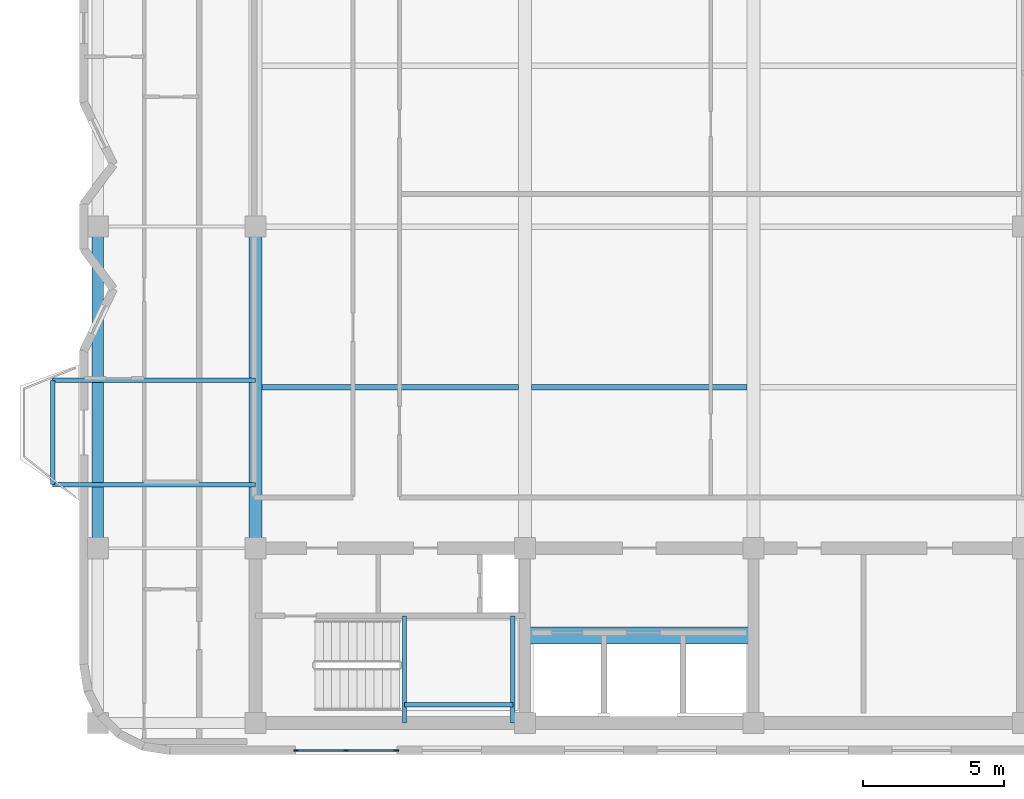
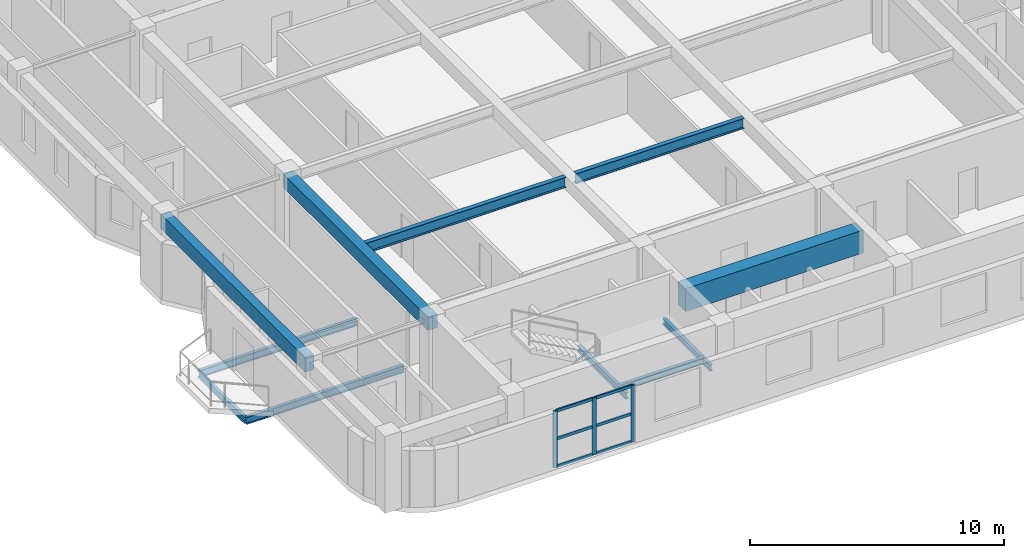
# One storey, part 2 of 11: 11 beams, 9 members, 1 element without a shape of its own.
"""IFC4 building model written with IfcOpenShell, lengths in metres."""

from ifc_helpers import new_model, si_unit, direction, frame, origin, origin_2d, place, context, subcontext, project, spatial, rectangle, i_section, extrude, material, material_profile, profile_set, type_object, element, aggregate, save


model = new_model("IFC4")

# Units and contexts
model_context = context("Model", 3, precision=1e-05, world=origin(), true_north=direction((0.0, 1.0)))
body_context = subcontext(model_context, "Body", "Model", "MODEL_VIEW")
ifc_project = project(units=[si_unit("LENGTHUNIT", "METRE"), si_unit("AREAUNIT", "SQUARE_METRE"), si_unit("VOLUMEUNIT", "CUBIC_METRE"), si_unit("PLANEANGLEUNIT", "RADIAN"), si_unit("MASSUNIT", "GRAM", prefix="KILO")], contexts=[model_context])

# Site, building, storey
site_placement = place(None, origin())
site = spatial("IfcSite", under=ifc_project, at=site_placement, CompositionType="ELEMENT")
building_placement = place(site_placement, origin())
building = spatial("IfcBuilding", under=site, at=building_placement, Name="Svetorya Sky Lyceum", CompositionType="ELEMENT")
storey_placement = place(building_placement, frame((0.0, 0.0, 275.0)))
storey = spatial("IfcBuildingStorey", under=building, at=storey_placement, Name="L69", CompositionType="ELEMENT", Elevation=275.0)

# Beams
ifc_material_1 = material(Name="Concrete C60/75", Category="concrete")
ifc_material_profile_1 = material_profile(ifc_material_1, rectangle(XDim=0.60009765625, YDim=1.10009765625, at=origin_2d()), Name="RC COUPLING 600x1100")
ifc_profile_set_1 = profile_set([ifc_material_profile_1], Name="Concrete C60/75")
beam_type_1 = type_object("IfcBeamType", Name="BM-CPL-1100", PredefinedType="LINTEL", material=ifc_profile_set_1)
beam_1_placement = place(storey_placement, frame((35.14990234375, 13.699951171875, 2.89990234375), z_axis=(1.0, 0.0, 0.0), x_axis=(0.0, 1.0, 0.0)))
element("IfcBeam", 1, at=beam_1_placement, inside=storey, type_object=beam_type_1, Name="L69 SC Core Coupling Beam", PredefinedType="LINTEL", context=body_context, shape_type="SweptSolid", body=[
    extrude(rectangle(XDim=0.60009765625, YDim=1.10009765625, at=origin_2d()), origin(), (0.0, 0.0, 1.0), 8.10009765625),
])
ifc_material_2 = material(Name="Concrete C40/50", Category="concrete")
ifc_material_profile_2 = material_profile(ifc_material_2, rectangle(XDim=0.449951171875, YDim=0.64990234375, at=origin_2d()), Name="RC BEAM 450x650")
ifc_profile_set_2 = profile_set([ifc_material_profile_2], Name="Concrete C40/50")
beam_type_2 = type_object("IfcBeamType", Name="BM-RC-650", PredefinedType="BEAM", material=ifc_profile_set_2)
beam_2_placement = place(storey_placement, frame((25.60009765625, 16.800048828125, 3.125), z_axis=(0.0, 1.0, 0.0), x_axis=(-1.0, 0.0, 0.0)))
element("IfcBeam", 2, at=beam_2_placement, inside=storey, type_object=beam_type_2, Name="L69 Central Bay Primary Girder CG-1A", PredefinedType="BEAM", context=body_context, shape_type="SweptSolid", body=[
    extrude(rectangle(XDim=0.449951171875, YDim=0.64990234375, at=origin_2d()), origin(), (0.0, 0.0, 1.0), 11.39990234375),
])
ifc_material_3 = material(Name="Concrete C50/60", Category="concrete")
ifc_material_profile_3 = material_profile(ifc_material_3, rectangle(XDim=0.39990234375, YDim=0.699951171875, at=origin_2d()), Name="RC SPANDREL 400x700")
ifc_profile_set_3 = profile_set([ifc_material_profile_3], Name="Concrete C50/60")
beam_type_3 = type_object("IfcBeamType", Name="BM-SPN-700", PredefinedType="SPANDREL", material=ifc_profile_set_3)
beam_3_placement = place(storey_placement, frame((20.010009765625, 16.800048828125, 3.10009765625), z_axis=(0.0, 1.0, 0.0), x_axis=(-1.0, 0.0, 0.0)))
element("IfcBeam", 3, at=beam_3_placement, inside=storey, type_object=beam_type_3, Name="L69 West Spandrel 2", PredefinedType="SPANDREL", context=body_context, shape_type="SweptSolid", body=[
    extrude(rectangle(XDim=0.39990234375, YDim=0.699951171875, at=origin_2d()), origin(), (0.0, 0.0, 1.0), 11.39990234375),
])
ifc_material_4 = material(Name="Steel S355", Category="steel")
ifc_material_profile_4 = material_profile(ifc_material_4, i_section(OverallWidth=0.14990234375, OverallDepth=0.299072265625, WebThickness=0.006591796875, FlangeThickness=0.010498046875, at=origin_2d()), Name="GOST 30B2")
ifc_profile_set_4 = profile_set([ifc_material_profile_4], Name="Steel S355")
beam_type_4 = type_object("IfcBeamType", Name="BM-STL-30B2", PredefinedType="JOIST", material=ifc_profile_set_4)
beam_4_placement = place(storey_placement, frame((18.409912109375, 19.050048828125, -0.424560546875), z_axis=(0.0, 1.0, 0.0), x_axis=(-1.0, 0.0, 0.0)))
element("IfcBeam", 4, at=beam_4_placement, inside=storey, type_object=beam_type_4, Name="L69 Balcony Edge Tie BAL-W1", PredefinedType="JOIST", context=body_context, shape_type="SweptSolid", body=[
    extrude(i_section(OverallWidth=0.14990234375, OverallDepth=0.299072265625, WebThickness=0.006591796875, FlangeThickness=0.010498046875, at=origin_2d()), origin(), (0.0, 0.0, 1.0), 3.699951171875),
])
for number, where, z_axis, x_axis, name in (
    (5, (30.8798828125, 10.60009765625, 1.50048828125), (0.0, 1.0, 0.0), (-1.0, 0.0, 0.0), "L69 Stair ST-S Half-Landing Support Beam 77.1"),
    (6, (34.719970703125, 10.60009765625, 1.50048828125), (0.0, 1.0, 0.0), (-1.0, 0.0, 0.0), "L69 Stair ST-S Half-Landing Support Beam 77.2"),
):
    element("IfcBeam", number, at=place(storey_placement, frame(where, z_axis=z_axis, x_axis=x_axis)), inside=storey, type_object=beam_type_4, Name=name, PredefinedType="JOIST", context=body_context, shape_type="SweptSolid", body=[
        extrude(i_section(OverallWidth=0.14990234375, OverallDepth=0.299072265625, WebThickness=0.006591796875, FlangeThickness=0.010498046875, at=origin_2d()), origin(), (0.0, 0.0, 1.0), 3.7998046875),
    ])
beam_5_placement = place(storey_placement, frame((30.8798828125, 11.25, 1.50048828125), z_axis=(1.0, 0.0, 0.0), x_axis=(0.0, 1.0, 0.0)))
element("IfcBeam", 7, at=beam_5_placement, inside=storey, type_object=beam_type_4, Name="L69 Stair ST-S Half-Landing Cross Tie 77", PredefinedType="JOIST", context=body_context, shape_type="SweptSolid", body=[
    extrude(i_section(OverallWidth=0.14990234375, OverallDepth=0.299072265625, WebThickness=0.006591796875, FlangeThickness=0.010498046875, at=origin_2d()), origin(), (0.0, 0.0, 1.0), 3.840087890625),
])
ifc_material_profile_5 = material_profile(ifc_material_4, i_section(OverallWidth=0.155029296875, OverallDepth=0.34912109375, WebThickness=0.007080078125, FlangeThickness=0.011474609375, at=origin_2d()), Name="GOST 35B2")
ifc_profile_set_5 = profile_set([ifc_material_profile_5], Name="Steel S355")
beam_type_5 = type_object("IfcBeamType", Name="BM-STL-35B2", PredefinedType="JOIST", material=ifc_profile_set_5)
for number, where, z_axis, x_axis, name in (
    (8, (25.60009765625, 19.050048828125, -0.424560546875), (-1.0, 0.0, 0.0), (0.0, -1.0, 0.0), "L69 Balcony Cantilever Beam BAL-W1-1"),
    (9, (25.60009765625, 22.75, -0.424560546875), (-1.0, 0.0, 0.0), (0.0, -1.0, 0.0), "L69 Balcony Cantilever Beam BAL-W1-2"),
):
    element("IfcBeam", number, at=place(storey_placement, frame(where, z_axis=z_axis, x_axis=x_axis)), inside=storey, type_object=beam_type_5, Name=name, PredefinedType="JOIST", context=body_context, shape_type="SweptSolid", body=[
        extrude(i_section(OverallWidth=0.155029296875, OverallDepth=0.34912109375, WebThickness=0.007080078125, FlangeThickness=0.011474609375, at=origin_2d()), origin(), (0.0, 0.0, 1.0), 7.190185546875),
    ])
ifc_material_profile_6 = material_profile(ifc_material_4, i_section(OverallWidth=0.198974609375, OverallDepth=0.498046875, WebThickness=0.010009765625, FlangeThickness=0.01611328125, at=origin_2d()), Name="GOST 50B2")
ifc_profile_set_6 = profile_set([ifc_material_profile_6], Name="Steel S355")
beam_type_6 = type_object("IfcBeamType", Name="BM-STL-50B2", PredefinedType="BEAM", material=ifc_profile_set_6)
beam_6_placement = place(storey_placement, frame((25.824951171875, 22.5, 3.200927734375), z_axis=(1.0, 0.0, 0.0), x_axis=(0.0, 1.0, 0.0)))
element("IfcBeam", 10, at=beam_6_placement, inside=storey, type_object=beam_type_6, Name="L69 Central Floor Joist CJ-1.1", PredefinedType="BEAM", context=body_context, shape_type="SweptSolid", body=[
    extrude(i_section(OverallWidth=0.198974609375, OverallDepth=0.498046875, WebThickness=0.010009765625, FlangeThickness=0.01611328125, at=origin_2d()), origin(), (0.0, 0.0, 1.0), 9.10009765625),
])
beam_7_placement = place(storey_placement, frame((35.375, 22.5, 3.200927734375), z_axis=(1.0, 0.0, 0.0), x_axis=(0.0, 1.0, 0.0)))
element("IfcBeam", 11, at=beam_7_placement, inside=storey, type_object=beam_type_6, Name="L69 Central Floor Joist CJ-1.2", PredefinedType="BEAM", context=body_context, shape_type="SweptSolid", body=[
    extrude(i_section(OverallWidth=0.198974609375, OverallDepth=0.498046875, WebThickness=0.010009765625, FlangeThickness=0.01611328125, at=origin_2d()), origin(), (0.0, 0.0, 1.0), 7.64990234375),
])

# Curtain wall, members
ifc_material_5 = material(Name="Thermally broken anodized aluminium and triple low-E glass", Category="aluminium")
curtain_wall_type = type_object("IfcCurtainWallType", Name="CW3-LOG-RES", PredefinedType="NOTDEFINED", material=ifc_material_5)
curtain_wall_placement = place(storey_placement, origin())
curtain_wall = element("IfcCurtainWall", 12, at=curtain_wall_placement, inside=storey, type_object=curtain_wall_type, Name="L69 Recessed Loggia Curtain Wall 6", PredefinedType="NOTDEFINED")
ifc_material_6 = material(Name="Thermally broken anodized aluminium EN AW-6060", Category="aluminium")
ifc_material_profile_7 = material_profile(ifc_material_6, rectangle(XDim=0.06494140625, YDim=0.179931640625, at=origin_2d()), Name="ALU MULLION 65x180")
ifc_profile_set_7 = profile_set([ifc_material_profile_7], Name="Thermally broken anodized aluminium EN AW-6060")
member_type_1 = type_object("IfcMemberType", Name="CWM-MUL-180", PredefinedType="MULLION", material=ifc_profile_set_7)
member_1_placement = place(storey_placement, frame((27.04248046875, 9.6298828125, 0.0), z_axis=(0.0, 0.0, 1.0), x_axis=(0.0, 1.0, 0.0)))
member_1 = element("IfcMember", 13, at=member_1_placement, type_object=member_type_1, Name="CW-3 mullion 1", PredefinedType="MULLION", context=body_context, shape_type="SweptSolid", body=[
    extrude(rectangle(XDim=0.06494140625, YDim=0.179931640625, at=origin_2d()), origin(), (0.0, 0.0, 1.0), 2.72998046875),
])
member_2_placement = place(storey_placement, frame((28.81005859375, 9.6298828125, 0.0), z_axis=(0.0, 0.0, 1.0), x_axis=(0.0, 1.0, 0.0)))
member_2 = element("IfcMember", 14, at=member_2_placement, type_object=member_type_1, Name="CW-3 mullion 2", PredefinedType="MULLION", context=body_context, shape_type="SweptSolid", body=[
    extrude(rectangle(XDim=0.06494140625, YDim=0.179931640625, at=origin_2d()), origin(), (0.0, 0.0, 1.0), 2.72998046875),
])
member_3_placement = place(storey_placement, frame((30.577392578125, 9.6298828125, 0.0), z_axis=(0.0, 0.0, 1.0), x_axis=(0.0, 1.0, 0.0)))
member_3 = element("IfcMember", 15, at=member_3_placement, type_object=member_type_1, Name="CW-3 mullion 3", PredefinedType="MULLION", context=body_context, shape_type="SweptSolid", body=[
    extrude(rectangle(XDim=0.06494140625, YDim=0.179931640625, at=origin_2d()), origin(), (0.0, 0.0, 1.0), 2.72998046875),
])
ifc_material_profile_8 = material_profile(ifc_material_6, rectangle(XDim=0.06494140625, YDim=0.139892578125, at=origin_2d()), Name="ALU TRANSOM 65x140")
ifc_profile_set_8 = profile_set([ifc_material_profile_8], Name="Thermally broken anodized aluminium EN AW-6060")
member_type_2 = type_object("IfcMemberType", Name="CWM-TRN-140", PredefinedType="USERDEFINED", material=ifc_profile_set_8)
member_4_placement = place(storey_placement, frame((27.073486328125, 9.6298828125, 0.032470703125), z_axis=(1.0, 0.0, 0.0), x_axis=(0.0, 1.0, 0.0)))
member_4 = element("IfcMember", 16, at=member_4_placement, type_object=member_type_2, Name="CW-3 transom 1.1", ObjectType="TRANSOM", PredefinedType="USERDEFINED", context=body_context, shape_type="SweptSolid", body=[
    extrude(rectangle(XDim=0.06494140625, YDim=0.139892578125, at=origin_2d()), origin(), (0.0, 0.0, 1.0), 1.70556640625),
])
member_5_placement = place(storey_placement, frame((27.073486328125, 9.6298828125, 1.364990234375), z_axis=(1.0, 0.0, 0.0), x_axis=(0.0, 1.0, 0.0)))
member_5 = element("IfcMember", 17, at=member_5_placement, type_object=member_type_2, Name="CW-3 transom 1.2", ObjectType="TRANSOM", PredefinedType="USERDEFINED", context=body_context, shape_type="SweptSolid", body=[
    extrude(rectangle(XDim=0.06494140625, YDim=0.139892578125, at=origin_2d()), origin(), (0.0, 0.0, 1.0), 1.70556640625),
])
member_6_placement = place(storey_placement, frame((27.073486328125, 9.6298828125, 2.697509765625), z_axis=(1.0, 0.0, 0.0), x_axis=(0.0, 1.0, 0.0)))
member_6 = element("IfcMember", 18, at=member_6_placement, type_object=member_type_2, Name="CW-3 transom 1.3", ObjectType="TRANSOM", PredefinedType="USERDEFINED", context=body_context, shape_type="SweptSolid", body=[
    extrude(rectangle(XDim=0.06494140625, YDim=0.139892578125, at=origin_2d()), origin(), (0.0, 0.0, 1.0), 1.70556640625),
])
member_7_placement = place(storey_placement, frame((28.841064453125, 9.6298828125, 0.032470703125), z_axis=(1.0, 0.0, 0.0), x_axis=(0.0, 1.0, 0.0)))
member_7 = element("IfcMember", 19, at=member_7_placement, type_object=member_type_2, Name="CW-3 transom 2.1", ObjectType="TRANSOM", PredefinedType="USERDEFINED", context=body_context, shape_type="SweptSolid", body=[
    extrude(rectangle(XDim=0.06494140625, YDim=0.139892578125, at=origin_2d()), origin(), (0.0, 0.0, 1.0), 1.705322265625),
])
member_8_placement = place(storey_placement, frame((28.841064453125, 9.6298828125, 1.364990234375), z_axis=(1.0, 0.0, 0.0), x_axis=(0.0, 1.0, 0.0)))
member_8 = element("IfcMember", 20, at=member_8_placement, type_object=member_type_2, Name="CW-3 transom 2.2", ObjectType="TRANSOM", PredefinedType="USERDEFINED", context=body_context, shape_type="SweptSolid", body=[
    extrude(rectangle(XDim=0.06494140625, YDim=0.139892578125, at=origin_2d()), origin(), (0.0, 0.0, 1.0), 1.705322265625),
])
member_9_placement = place(storey_placement, frame((28.841064453125, 9.6298828125, 2.697509765625), z_axis=(1.0, 0.0, 0.0), x_axis=(0.0, 1.0, 0.0)))
member_9 = element("IfcMember", 21, at=member_9_placement, type_object=member_type_2, Name="CW-3 transom 2.3", ObjectType="TRANSOM", PredefinedType="USERDEFINED", context=body_context, shape_type="SweptSolid", body=[
    extrude(rectangle(XDim=0.06494140625, YDim=0.139892578125, at=origin_2d()), origin(), (0.0, 0.0, 1.0), 1.705322265625),
])
aggregate(curtain_wall, [member_1, member_2, member_3, member_4, member_5, member_6, member_7, member_8, member_9])

save(model, "model.ifc")
